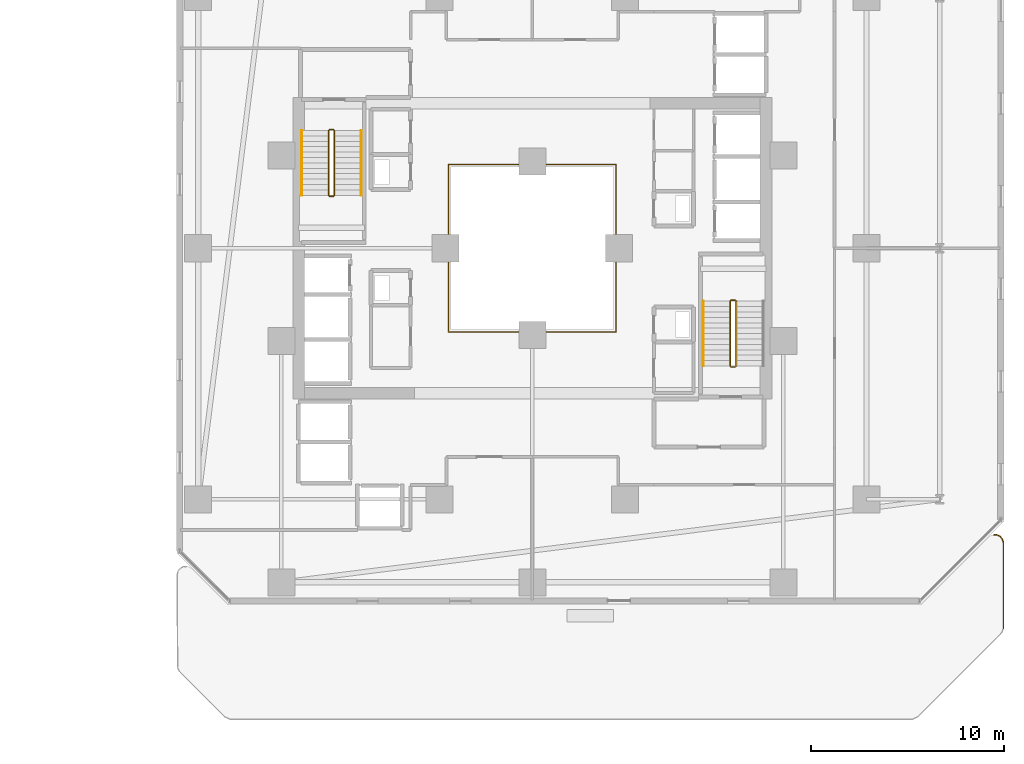
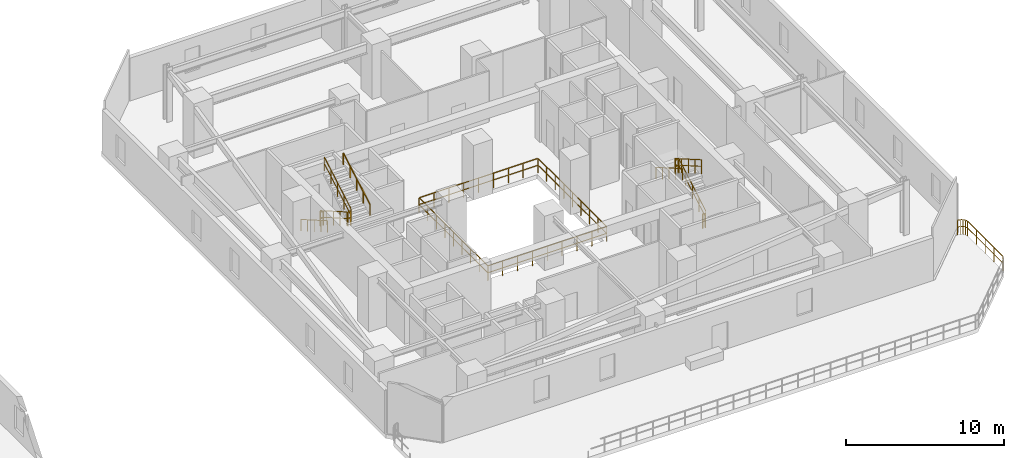
# One storey, part 32 of 33: 13 railings.
"""IFC4 building model written with IfcOpenShell, lengths in metres."""

from ifc_helpers import new_model, si_unit, direction, frame, origin, origin_2d, place, context, subcontext, project, spatial, rectangle, extrude, material, type_object, element, save


model = new_model("IFC4")

# Units and contexts
model_context = context("Model", 3, precision=1e-05, world=origin(), true_north=direction((0.0, 1.0)))
body_context = subcontext(model_context, "Body", "Model", "MODEL_VIEW")
ifc_project = project(units=[si_unit("LENGTHUNIT", "METRE"), si_unit("AREAUNIT", "SQUARE_METRE"), si_unit("VOLUMEUNIT", "CUBIC_METRE"), si_unit("PLANEANGLEUNIT", "RADIAN"), si_unit("MASSUNIT", "GRAM", prefix="KILO")], contexts=[model_context])

# Site, building, storey
site_placement = place(None, origin())
site = spatial("IfcSite", under=ifc_project, at=site_placement, CompositionType="ELEMENT")
building_placement = place(site_placement, origin())
building = spatial("IfcBuilding", under=site, at=building_placement, Name="Thornwick Lancets Civic Towers", CompositionType="ELEMENT")
storey_placement = place(building_placement, frame((0.0, 0.0, 49.5)))
storey = spatial("IfcBuildingStorey", under=building, at=storey_placement, Name="L12", CompositionType="ELEMENT", Elevation=49.5)

# Railings
ifc_material_1 = material(Name="Laminated glass and bronze steel S355", Category="steel")
railing_type_1 = type_object("IfcRailingType", Name="RAIL_ATRIUM_GUARD", PredefinedType="BALUSTRADE", material=ifc_material_1)
railing_1_placement = place(storey_placement, frame((84.159912109375, 22.659912109375, 0.0)))
element("IfcRailing", 1, at=railing_1_placement, inside=storey, type_object=railing_type_1, Name="L12 Tower B Central Atrium Guard Balustrade", PredefinedType="BALUSTRADE", context=body_context, shape_type="SweptSolid", body=[
    extrude(rectangle(XDim=0.048095703125, YDim=0.048095703125, at=origin_2d()), frame((0.0, 0.0, 1.1259765625), z_axis=(1.0, 0.0, 0.0), x_axis=(0.0, 1.0, 0.0)), (0.0, 0.0, 1.0), 8.64892578125),
    extrude(rectangle(XDim=0.0419921875, YDim=0.0419921875, at=origin_2d()), frame((0.03759765625, 0.0, 0.597900390625), z_axis=(1.0, 0.0, 0.0), x_axis=(0.0, 1.0, 0.0)), (0.0, 0.0, 1.0), 1.010009765625),
    extrude(rectangle(XDim=0.0419921875, YDim=0.0419921875, at=origin_2d()), frame((1.12255859375, 0.0, 0.597900390625), z_axis=(1.0, 0.0, 0.0), x_axis=(0.0, 1.0, 0.0)), (0.0, 0.0, 1.0), 1.010009765625),
    extrude(rectangle(XDim=0.0419921875, YDim=0.0419921875, at=origin_2d()), frame((2.20751953125, 0.0, 0.597900390625), z_axis=(1.0, 0.0, 0.0), x_axis=(0.0, 1.0, 0.0)), (0.0, 0.0, 1.0), 1.010009765625),
    extrude(rectangle(XDim=0.0419921875, YDim=0.0419921875, at=origin_2d()), frame((3.29248046875, 0.0, 0.597900390625), z_axis=(1.0, 0.0, 0.0), x_axis=(0.0, 1.0, 0.0)), (0.0, 0.0, 1.0), 1.010009765625),
    extrude(rectangle(XDim=0.0419921875, YDim=0.0419921875, at=origin_2d()), frame((4.377685546875, 0.0, 0.597900390625), z_axis=(1.0, 0.0, 0.0), x_axis=(0.0, 1.0, 0.0)), (0.0, 0.0, 1.0), 1.010009765625),
    extrude(rectangle(XDim=0.0419921875, YDim=0.0419921875, at=origin_2d()), frame((5.462646484375, 0.0, 0.597900390625), z_axis=(1.0, 0.0, 0.0), x_axis=(0.0, 1.0, 0.0)), (0.0, 0.0, 1.0), 1.010009765625),
    extrude(rectangle(XDim=0.0419921875, YDim=0.0419921875, at=origin_2d()), frame((6.547607421875, 0.0, 0.597900390625), z_axis=(1.0, 0.0, 0.0), x_axis=(0.0, 1.0, 0.0)), (0.0, 0.0, 1.0), 1.010009765625),
    extrude(rectangle(XDim=0.0419921875, YDim=0.0419921875, at=origin_2d()), frame((7.632568359375, 0.0, 0.597900390625), z_axis=(1.0, 0.0, 0.0), x_axis=(0.0, 1.0, 0.0)), (0.0, 0.0, 1.0), 1.010009765625),
    extrude(rectangle(XDim=0.048095703125, YDim=0.048095703125, at=origin_2d()), frame((8.68017578125, 0.03125, 1.1259765625), z_axis=(0.0, 1.0, 0.0), x_axis=(-1.0, 0.0, 0.0)), (0.0, 0.0, 1.0), 8.61767578125),
    extrude(rectangle(XDim=0.0419921875, YDim=0.0419921875, at=origin_2d()), frame((8.68017578125, 0.03759765625, 0.597900390625), z_axis=(0.0, 1.0, 0.0), x_axis=(-1.0, 0.0, 0.0)), (0.0, 0.0, 1.0), 1.010009765625),
    extrude(rectangle(XDim=0.0419921875, YDim=0.0419921875, at=origin_2d()), frame((8.68017578125, 1.12255859375, 0.597900390625), z_axis=(0.0, 1.0, 0.0), x_axis=(-1.0, 0.0, 0.0)), (0.0, 0.0, 1.0), 1.010009765625),
    extrude(rectangle(XDim=0.0419921875, YDim=0.0419921875, at=origin_2d()), frame((8.68017578125, 2.20751953125, 0.597900390625), z_axis=(0.0, 1.0, 0.0), x_axis=(-1.0, 0.0, 0.0)), (0.0, 0.0, 1.0), 1.010009765625),
    extrude(rectangle(XDim=0.0419921875, YDim=0.0419921875, at=origin_2d()), frame((8.68017578125, 3.29248046875, 0.597900390625), z_axis=(0.0, 1.0, 0.0), x_axis=(-1.0, 0.0, 0.0)), (0.0, 0.0, 1.0), 1.010009765625),
    extrude(rectangle(XDim=0.0419921875, YDim=0.0419921875, at=origin_2d()), frame((8.68017578125, 4.377685546875, 0.597900390625), z_axis=(0.0, 1.0, 0.0), x_axis=(-1.0, 0.0, 0.0)), (0.0, 0.0, 1.0), 1.010009765625),
    extrude(rectangle(XDim=0.0419921875, YDim=0.0419921875, at=origin_2d()), frame((8.68017578125, 5.462646484375, 0.597900390625), z_axis=(0.0, 1.0, 0.0), x_axis=(-1.0, 0.0, 0.0)), (0.0, 0.0, 1.0), 1.010009765625),
    extrude(rectangle(XDim=0.0419921875, YDim=0.0419921875, at=origin_2d()), frame((8.68017578125, 6.547607421875, 0.597900390625), z_axis=(0.0, 1.0, 0.0), x_axis=(-1.0, 0.0, 0.0)), (0.0, 0.0, 1.0), 1.010009765625),
    extrude(rectangle(XDim=0.0419921875, YDim=0.0419921875, at=origin_2d()), frame((8.68017578125, 7.632568359375, 0.597900390625), z_axis=(0.0, 1.0, 0.0), x_axis=(-1.0, 0.0, 0.0)), (0.0, 0.0, 1.0), 1.010009765625),
    extrude(rectangle(XDim=0.048095703125, YDim=0.048095703125, at=origin_2d()), frame((8.64892578125, 8.68017578125, 1.1259765625), z_axis=(-1.0, 0.0, 0.0), x_axis=(0.0, -1.0, 0.0)), (0.0, 0.0, 1.0), 8.61767578125),
    extrude(rectangle(XDim=0.0419921875, YDim=0.0419921875, at=origin_2d()), frame((8.642578125, 8.68017578125, 0.597900390625), z_axis=(-1.0, 0.0, 0.0), x_axis=(0.0, -1.0, 0.0)), (0.0, 0.0, 1.0), 1.010009765625),
    extrude(rectangle(XDim=0.0419921875, YDim=0.0419921875, at=origin_2d()), frame((7.5576171875, 8.68017578125, 0.597900390625), z_axis=(-1.0, 0.0, 0.0), x_axis=(0.0, -1.0, 0.0)), (0.0, 0.0, 1.0), 1.010009765625),
    extrude(rectangle(XDim=0.0419921875, YDim=0.0419921875, at=origin_2d()), frame((6.47265625, 8.68017578125, 0.597900390625), z_axis=(-1.0, 0.0, 0.0), x_axis=(0.0, -1.0, 0.0)), (0.0, 0.0, 1.0), 1.010009765625),
    extrude(rectangle(XDim=0.0419921875, YDim=0.0419921875, at=origin_2d()), frame((5.3876953125, 8.68017578125, 0.597900390625), z_axis=(-1.0, 0.0, 0.0), x_axis=(0.0, -1.0, 0.0)), (0.0, 0.0, 1.0), 1.010009765625),
    extrude(rectangle(XDim=0.0419921875, YDim=0.0419921875, at=origin_2d()), frame((4.302490234375, 8.68017578125, 0.597900390625), z_axis=(-1.0, 0.0, 0.0), x_axis=(0.0, -1.0, 0.0)), (0.0, 0.0, 1.0), 1.010009765625),
    extrude(rectangle(XDim=0.0419921875, YDim=0.0419921875, at=origin_2d()), frame((3.217529296875, 8.68017578125, 0.597900390625), z_axis=(-1.0, 0.0, 0.0), x_axis=(0.0, -1.0, 0.0)), (0.0, 0.0, 1.0), 1.010009765625),
    extrude(rectangle(XDim=0.0419921875, YDim=0.0419921875, at=origin_2d()), frame((2.132568359375, 8.68017578125, 0.597900390625), z_axis=(-1.0, 0.0, 0.0), x_axis=(0.0, -1.0, 0.0)), (0.0, 0.0, 1.0), 1.010009765625),
    extrude(rectangle(XDim=0.0419921875, YDim=0.0419921875, at=origin_2d()), frame((1.047607421875, 8.68017578125, 0.597900390625), z_axis=(-1.0, 0.0, 0.0), x_axis=(0.0, -1.0, 0.0)), (0.0, 0.0, 1.0), 1.010009765625),
    extrude(rectangle(XDim=0.048095703125, YDim=0.048095703125, at=origin_2d()), frame((0.0, 8.64892578125, 1.1259765625), z_axis=(0.0, -1.0, 0.0), x_axis=(1.0, 0.0, 0.0)), (0.0, 0.0, 1.0), 8.64892578125),
    extrude(rectangle(XDim=0.0419921875, YDim=0.0419921875, at=origin_2d()), frame((0.0, 8.642578125, 0.597900390625), z_axis=(0.0, -1.0, 0.0), x_axis=(1.0, 0.0, 0.0)), (0.0, 0.0, 1.0), 1.010009765625),
    extrude(rectangle(XDim=0.0419921875, YDim=0.0419921875, at=origin_2d()), frame((0.0, 7.5576171875, 0.597900390625), z_axis=(0.0, -1.0, 0.0), x_axis=(1.0, 0.0, 0.0)), (0.0, 0.0, 1.0), 1.010009765625),
    extrude(rectangle(XDim=0.0419921875, YDim=0.0419921875, at=origin_2d()), frame((0.0, 6.47265625, 0.597900390625), z_axis=(0.0, -1.0, 0.0), x_axis=(1.0, 0.0, 0.0)), (0.0, 0.0, 1.0), 1.010009765625),
    extrude(rectangle(XDim=0.0419921875, YDim=0.0419921875, at=origin_2d()), frame((0.0, 5.3876953125, 0.597900390625), z_axis=(0.0, -1.0, 0.0), x_axis=(1.0, 0.0, 0.0)), (0.0, 0.0, 1.0), 1.010009765625),
    extrude(rectangle(XDim=0.0419921875, YDim=0.0419921875, at=origin_2d()), frame((0.0, 4.302490234375, 0.597900390625), z_axis=(0.0, -1.0, 0.0), x_axis=(1.0, 0.0, 0.0)), (0.0, 0.0, 1.0), 1.010009765625),
    extrude(rectangle(XDim=0.0419921875, YDim=0.0419921875, at=origin_2d()), frame((0.0, 3.217529296875, 0.597900390625), z_axis=(0.0, -1.0, 0.0), x_axis=(1.0, 0.0, 0.0)), (0.0, 0.0, 1.0), 1.010009765625),
    extrude(rectangle(XDim=0.0419921875, YDim=0.0419921875, at=origin_2d()), frame((0.0, 2.132568359375, 0.597900390625), z_axis=(0.0, -1.0, 0.0), x_axis=(1.0, 0.0, 0.0)), (0.0, 0.0, 1.0), 1.010009765625),
    extrude(rectangle(XDim=0.0419921875, YDim=0.0419921875, at=origin_2d()), frame((0.0, 1.047607421875, 0.597900390625), z_axis=(0.0, -1.0, 0.0), x_axis=(1.0, 0.0, 0.0)), (0.0, 0.0, 1.0), 1.010009765625),
    extrude(rectangle(XDim=0.0419921875, YDim=0.0419921875, at=origin_2d()), origin(), (0.0, 0.0, 1.0), 1.095703125),
    extrude(rectangle(XDim=0.0419921875, YDim=0.0419921875, at=origin_2d()), frame((1.0849609375, 0.0, 0.0)), (0.0, 0.0, 1.0), 1.095703125),
    extrude(rectangle(XDim=0.0419921875, YDim=0.0419921875, at=origin_2d()), frame((2.169921875, 0.0, 0.0)), (0.0, 0.0, 1.0), 1.095703125),
    extrude(rectangle(XDim=0.0419921875, YDim=0.0419921875, at=origin_2d()), frame((3.255126953125, 0.0, 0.0)), (0.0, 0.0, 1.0), 1.095703125),
    extrude(rectangle(XDim=0.0419921875, YDim=0.0419921875, at=origin_2d()), frame((4.340087890625, 0.0, 0.0)), (0.0, 0.0, 1.0), 1.095703125),
    extrude(rectangle(XDim=0.0419921875, YDim=0.0419921875, at=origin_2d()), frame((5.425048828125, 0.0, 0.0)), (0.0, 0.0, 1.0), 1.095703125),
    extrude(rectangle(XDim=0.0419921875, YDim=0.0419921875, at=origin_2d()), frame((6.51025390625, 0.0, 0.0)), (0.0, 0.0, 1.0), 1.095703125),
    extrude(rectangle(XDim=0.0419921875, YDim=0.0419921875, at=origin_2d()), frame((7.59521484375, 0.0, 0.0)), (0.0, 0.0, 1.0), 1.095703125),
    extrude(rectangle(XDim=0.0419921875, YDim=0.0419921875, at=origin_2d()), frame((8.68017578125, 0.0, 0.0)), (0.0, 0.0, 1.0), 1.095703125),
    extrude(rectangle(XDim=0.0419921875, YDim=0.0419921875, at=origin_2d()), frame((8.68017578125, 1.0849609375, 0.0)), (0.0, 0.0, 1.0), 1.095703125),
    extrude(rectangle(XDim=0.0419921875, YDim=0.0419921875, at=origin_2d()), frame((8.68017578125, 2.169921875, 0.0)), (0.0, 0.0, 1.0), 1.095703125),
    extrude(rectangle(XDim=0.0419921875, YDim=0.0419921875, at=origin_2d()), frame((8.68017578125, 3.255126953125, 0.0)), (0.0, 0.0, 1.0), 1.095703125),
    extrude(rectangle(XDim=0.0419921875, YDim=0.0419921875, at=origin_2d()), frame((8.68017578125, 4.340087890625, 0.0)), (0.0, 0.0, 1.0), 1.095703125),
    extrude(rectangle(XDim=0.0419921875, YDim=0.0419921875, at=origin_2d()), frame((8.68017578125, 5.425048828125, 0.0)), (0.0, 0.0, 1.0), 1.095703125),
    extrude(rectangle(XDim=0.0419921875, YDim=0.0419921875, at=origin_2d()), frame((8.68017578125, 6.51025390625, 0.0)), (0.0, 0.0, 1.0), 1.095703125),
    extrude(rectangle(XDim=0.0419921875, YDim=0.0419921875, at=origin_2d()), frame((8.68017578125, 7.59521484375, 0.0)), (0.0, 0.0, 1.0), 1.095703125),
    extrude(rectangle(XDim=0.0419921875, YDim=0.0419921875, at=origin_2d()), frame((8.68017578125, 8.68017578125, 0.0)), (0.0, 0.0, 1.0), 1.095703125),
    extrude(rectangle(XDim=0.0419921875, YDim=0.0419921875, at=origin_2d()), frame((7.59521484375, 8.68017578125, 0.0)), (0.0, 0.0, 1.0), 1.095703125),
    extrude(rectangle(XDim=0.0419921875, YDim=0.0419921875, at=origin_2d()), frame((6.51025390625, 8.68017578125, 0.0)), (0.0, 0.0, 1.0), 1.095703125),
    extrude(rectangle(XDim=0.0419921875, YDim=0.0419921875, at=origin_2d()), frame((5.425048828125, 8.68017578125, 0.0)), (0.0, 0.0, 1.0), 1.095703125),
    extrude(rectangle(XDim=0.0419921875, YDim=0.0419921875, at=origin_2d()), frame((4.340087890625, 8.68017578125, 0.0)), (0.0, 0.0, 1.0), 1.095703125),
    extrude(rectangle(XDim=0.0419921875, YDim=0.0419921875, at=origin_2d()), frame((3.255126953125, 8.68017578125, 0.0)), (0.0, 0.0, 1.0), 1.095703125),
    extrude(rectangle(XDim=0.0419921875, YDim=0.0419921875, at=origin_2d()), frame((2.169921875, 8.68017578125, 0.0)), (0.0, 0.0, 1.0), 1.095703125),
    extrude(rectangle(XDim=0.0419921875, YDim=0.0419921875, at=origin_2d()), frame((1.0849609375, 8.68017578125, 0.0)), (0.0, 0.0, 1.0), 1.095703125),
    extrude(rectangle(XDim=0.0419921875, YDim=0.0419921875, at=origin_2d()), frame((0.0, 8.68017578125, 0.0)), (0.0, 0.0, 1.0), 1.095703125),
    extrude(rectangle(XDim=0.0419921875, YDim=0.0419921875, at=origin_2d()), frame((0.0, 7.59521484375, 0.0)), (0.0, 0.0, 1.0), 1.095703125),
    extrude(rectangle(XDim=0.0419921875, YDim=0.0419921875, at=origin_2d()), frame((0.0, 6.51025390625, 0.0)), (0.0, 0.0, 1.0), 1.095703125),
    extrude(rectangle(XDim=0.0419921875, YDim=0.0419921875, at=origin_2d()), frame((0.0, 5.425048828125, 0.0)), (0.0, 0.0, 1.0), 1.095703125),
    extrude(rectangle(XDim=0.0419921875, YDim=0.0419921875, at=origin_2d()), frame((0.0, 4.340087890625, 0.0)), (0.0, 0.0, 1.0), 1.095703125),
    extrude(rectangle(XDim=0.0419921875, YDim=0.0419921875, at=origin_2d()), frame((0.0, 3.255126953125, 0.0)), (0.0, 0.0, 1.0), 1.095703125),
    extrude(rectangle(XDim=0.0419921875, YDim=0.0419921875, at=origin_2d()), frame((0.0, 2.169921875, 0.0)), (0.0, 0.0, 1.0), 1.095703125),
    extrude(rectangle(XDim=0.0419921875, YDim=0.0419921875, at=origin_2d()), frame((0.0, 1.0849609375, 0.0)), (0.0, 0.0, 1.0), 1.095703125),
])
ifc_material_2 = material(Name="Brushed stainless steel S355", Category="steel")
railing_type_2 = type_object("IfcRailingType", Name="RAIL_HANDRAIL", PredefinedType="HANDRAIL", material=ifc_material_2)
for number, where, name in (
    (2, (97.35009765625, 24.260009765625, 2.261474609375), "L12 ST-B1 stair handrail 2"),
    (3, (76.550048828125, 33.10009765625, 0.16162109375), "L12 ST-B2 stair handrail 1"),
):
    element("IfcRailing", number, at=place(storey_placement, frame(where)), inside=storey, type_object=railing_type_2, Name=name, PredefinedType="HANDRAIL", context=body_context, shape_type="SweptSolid", body=[
        extrude(rectangle(XDim=0.048095703125, YDim=0.048095703125, at=origin_2d()), frame((0.0, 0.0, 0.8857421875), z_axis=(0.0, -0.866190824863, 0.499713372768), x_axis=(1.0, 0.0, 0.0)), (0.0, 0.0, 1.0), 3.879150390625),
        extrude(rectangle(XDim=0.0419921875, YDim=0.0419921875, at=origin_2d()), origin(), (0.0, 0.0, 1.0), 0.855712890625),
        extrude(rectangle(XDim=0.0419921875, YDim=0.0419921875, at=origin_2d()), frame((0.0, -0.840087890625, 0.484619140625)), (0.0, 0.0, 1.0), 0.855712890625),
        extrude(rectangle(XDim=0.0419921875, YDim=0.0419921875, at=origin_2d()), frame((0.0, -1.68017578125, 0.96923828125)), (0.0, 0.0, 1.0), 0.855712890625),
        extrude(rectangle(XDim=0.0419921875, YDim=0.0419921875, at=origin_2d()), frame((0.0, -2.52001953125, 1.453857421875)), (0.0, 0.0, 1.0), 0.855712890625),
        extrude(rectangle(XDim=0.0419921875, YDim=0.0419921875, at=origin_2d()), frame((0.0, -3.360107421875, 1.9384765625)), (0.0, 0.0, 1.0), 0.855712890625),
    ])
railing_2_placement = place(storey_placement, frame((79.64990234375, 29.739990234375, 2.261474609375)))
element("IfcRailing", 4, at=railing_2_placement, inside=storey, type_object=railing_type_2, Name="L12 ST-B2 stair handrail 2", PredefinedType="HANDRAIL", context=body_context, shape_type="SweptSolid", body=[
    extrude(rectangle(XDim=0.048095703125, YDim=0.048095703125, at=origin_2d()), frame((0.0, 0.0, 0.8857421875), z_axis=(0.0, 0.866190824863, 0.499713372768), x_axis=(-1.0, 0.0, 0.0)), (0.0, 0.0, 1.0), 3.879150390625),
    extrude(rectangle(XDim=0.0419921875, YDim=0.0419921875, at=origin_2d()), origin(), (0.0, 0.0, 1.0), 0.855712890625),
    extrude(rectangle(XDim=0.0419921875, YDim=0.0419921875, at=origin_2d()), frame((0.0, 0.840087890625, 0.484619140625)), (0.0, 0.0, 1.0), 0.855712890625),
    extrude(rectangle(XDim=0.0419921875, YDim=0.0419921875, at=origin_2d()), frame((0.0, 1.68017578125, 0.96923828125)), (0.0, 0.0, 1.0), 0.855712890625),
    extrude(rectangle(XDim=0.0419921875, YDim=0.0419921875, at=origin_2d()), frame((0.0, 2.52001953125, 1.453857421875)), (0.0, 0.0, 1.0), 0.855712890625),
    extrude(rectangle(XDim=0.0419921875, YDim=0.0419921875, at=origin_2d()), frame((0.0, 3.360107421875, 1.9384765625)), (0.0, 0.0, 1.0), 0.855712890625),
])
ifc_material_3 = material(Name="Steel S355JR", Category="steel")
railing_type_3 = type_object("IfcRailingType", Name="RAIL_STAIR_GUARD", PredefinedType="GUARDRAIL", material=ifc_material_3)
railing_3_placement = place(storey_placement, frame((99.050048828125, 20.89990234375, 0.16162109375)))
element("IfcRailing", 5, at=railing_3_placement, inside=storey, type_object=railing_type_3, Name="L12 ST-B1 stair guard 1", PredefinedType="GUARDRAIL", context=body_context, shape_type="SweptSolid", body=[
    extrude(rectangle(XDim=0.048095703125, YDim=0.048095703125, at=origin_2d()), frame((0.0, 0.0, 1.076171875), z_axis=(0.0, 0.866190824863, 0.499713372768), x_axis=(-1.0, 0.0, 0.0)), (0.0, 0.0, 1.0), 3.879150390625),
    extrude(rectangle(XDim=0.0419921875, YDim=0.0419921875, at=origin_2d()), frame((0.0, 0.032470703125, 0.5908203125), z_axis=(0.0, 0.866190824863, 0.499713372768), x_axis=(-1.0, 0.0, 0.0)), (0.0, 0.0, 1.0), 0.894775390625),
    extrude(rectangle(XDim=0.0419921875, YDim=0.0419921875, at=origin_2d()), frame((0.0, 0.87255859375, 1.075439453125), z_axis=(0.0, 0.866190824863, 0.499713372768), x_axis=(-1.0, 0.0, 0.0)), (0.0, 0.0, 1.0), 0.894775390625),
    extrude(rectangle(XDim=0.0419921875, YDim=0.0419921875, at=origin_2d()), frame((0.0, 1.712646484375, 1.56005859375), z_axis=(0.0, 0.866190824863, 0.499713372768), x_axis=(-1.0, 0.0, 0.0)), (0.0, 0.0, 1.0), 0.894775390625),
    extrude(rectangle(XDim=0.0419921875, YDim=0.0419921875, at=origin_2d()), frame((0.0, 2.552490234375, 2.044677734375), z_axis=(0.0, 0.866190824863, 0.499713372768), x_axis=(-1.0, 0.0, 0.0)), (0.0, 0.0, 1.0), 0.894775390625),
    extrude(rectangle(XDim=0.0419921875, YDim=0.0419921875, at=origin_2d()), origin(), (0.0, 0.0, 1.0), 1.0458984375),
    extrude(rectangle(XDim=0.0419921875, YDim=0.0419921875, at=origin_2d()), frame((0.0, 0.840087890625, 0.484619140625)), (0.0, 0.0, 1.0), 1.0458984375),
    extrude(rectangle(XDim=0.0419921875, YDim=0.0419921875, at=origin_2d()), frame((0.0, 1.68017578125, 0.96923828125)), (0.0, 0.0, 1.0), 1.0458984375),
    extrude(rectangle(XDim=0.0419921875, YDim=0.0419921875, at=origin_2d()), frame((0.0, 2.52001953125, 1.453857421875)), (0.0, 0.0, 1.0), 1.0458984375),
    extrude(rectangle(XDim=0.0419921875, YDim=0.0419921875, at=origin_2d()), frame((0.0, 3.360107421875, 1.9384765625)), (0.0, 0.0, 1.0), 1.0458984375),
])
railing_4_placement = place(storey_placement, frame((99.0, 24.31005859375, 2.10009765625)))
element("IfcRailing", 6, at=railing_4_placement, inside=storey, type_object=railing_type_3, Name="L12 ST-B1 stair guard 2", PredefinedType="GUARDRAIL", context=body_context, shape_type="SweptSolid", body=[
    extrude(rectangle(XDim=0.048095703125, YDim=0.048095703125, at=origin_2d()), frame((0.0, 0.0, 1.076171875), z_axis=(-1.0, 0.0, 0.0), x_axis=(0.0, -1.0, 0.0)), (0.0, 0.0, 1.0), 0.199951171875),
    extrude(rectangle(XDim=0.0419921875, YDim=0.0419921875, at=origin_2d()), frame((-0.03759765625, 0.0, 0.572021484375), z_axis=(-1.0, 0.0, 0.0), x_axis=(0.0, -1.0, 0.0)), (0.0, 0.0, 1.0), 0.125),
    extrude(rectangle(XDim=0.0419921875, YDim=0.0419921875, at=origin_2d()), origin(), (0.0, 0.0, 1.0), 1.0458984375),
    extrude(rectangle(XDim=0.0419921875, YDim=0.0419921875, at=origin_2d()), frame((-0.199951171875, 0.0, 0.0)), (0.0, 0.0, 1.0), 1.0458984375),
])
railing_5_placement = place(storey_placement, frame((98.75, 24.260009765625, 2.261474609375)))
element("IfcRailing", 7, at=railing_5_placement, inside=storey, type_object=railing_type_3, Name="L12 ST-B1 stair guard 3", PredefinedType="GUARDRAIL", context=body_context, shape_type="SweptSolid", body=[
    extrude(rectangle(XDim=0.048095703125, YDim=0.048095703125, at=origin_2d()), frame((0.0, 0.0, 1.076171875), z_axis=(0.0, -0.866190824863, 0.499713372768), x_axis=(1.0, 0.0, 0.0)), (0.0, 0.0, 1.0), 3.879150390625),
    extrude(rectangle(XDim=0.0419921875, YDim=0.0419921875, at=origin_2d()), frame((0.0, -0.032470703125, 0.5908203125), z_axis=(0.0, -0.866190824863, 0.499713372768), x_axis=(1.0, 0.0, 0.0)), (0.0, 0.0, 1.0), 0.894775390625),
    extrude(rectangle(XDim=0.0419921875, YDim=0.0419921875, at=origin_2d()), frame((0.0, -0.87255859375, 1.075439453125), z_axis=(0.0, -0.866190824863, 0.499713372768), x_axis=(1.0, 0.0, 0.0)), (0.0, 0.0, 1.0), 0.894775390625),
    extrude(rectangle(XDim=0.0419921875, YDim=0.0419921875, at=origin_2d()), frame((0.0, -1.712646484375, 1.56005859375), z_axis=(0.0, -0.866190824863, 0.499713372768), x_axis=(1.0, 0.0, 0.0)), (0.0, 0.0, 1.0), 0.894775390625),
    extrude(rectangle(XDim=0.0419921875, YDim=0.0419921875, at=origin_2d()), frame((0.0, -2.552490234375, 2.044677734375), z_axis=(0.0, -0.866190824863, 0.499713372768), x_axis=(1.0, 0.0, 0.0)), (0.0, 0.0, 1.0), 0.894775390625),
    extrude(rectangle(XDim=0.0419921875, YDim=0.0419921875, at=origin_2d()), origin(), (0.0, 0.0, 1.0), 1.0458984375),
    extrude(rectangle(XDim=0.0419921875, YDim=0.0419921875, at=origin_2d()), frame((0.0, -0.840087890625, 0.484619140625)), (0.0, 0.0, 1.0), 1.0458984375),
    extrude(rectangle(XDim=0.0419921875, YDim=0.0419921875, at=origin_2d()), frame((0.0, -1.68017578125, 0.96923828125)), (0.0, 0.0, 1.0), 1.0458984375),
    extrude(rectangle(XDim=0.0419921875, YDim=0.0419921875, at=origin_2d()), frame((0.0, -2.52001953125, 1.453857421875)), (0.0, 0.0, 1.0), 1.0458984375),
    extrude(rectangle(XDim=0.0419921875, YDim=0.0419921875, at=origin_2d()), frame((0.0, -3.360107421875, 1.9384765625)), (0.0, 0.0, 1.0), 1.0458984375),
])
railing_6_placement = place(storey_placement, frame((99.0, 20.85009765625, 0.0)))
element("IfcRailing", 8, at=railing_6_placement, inside=storey, type_object=railing_type_3, Name="L12 ST-B1 stair guard 4", PredefinedType="GUARDRAIL", context=body_context, shape_type="SweptSolid", body=[
    extrude(rectangle(XDim=0.048095703125, YDim=0.048095703125, at=origin_2d()), frame((0.0, 0.0, 1.076171875), z_axis=(-1.0, 0.0, 0.0), x_axis=(0.0, -1.0, 0.0)), (0.0, 0.0, 1.0), 0.199951171875),
    extrude(rectangle(XDim=0.0419921875, YDim=0.0419921875, at=origin_2d()), frame((-0.03759765625, 0.0, 0.572021484375), z_axis=(-1.0, 0.0, 0.0), x_axis=(0.0, -1.0, 0.0)), (0.0, 0.0, 1.0), 0.125),
    extrude(rectangle(XDim=0.0419921875, YDim=0.0419921875, at=origin_2d()), origin(), (0.0, 0.0, 1.0), 1.0458984375),
    extrude(rectangle(XDim=0.0419921875, YDim=0.0419921875, at=origin_2d()), frame((-0.199951171875, 0.0, 0.0)), (0.0, 0.0, 1.0), 1.0458984375),
])
railing_7_placement = place(storey_placement, frame((77.949951171875, 33.10009765625, 0.16162109375)))
element("IfcRailing", 9, at=railing_7_placement, inside=storey, type_object=railing_type_3, Name="L12 ST-B2 stair guard 1", PredefinedType="GUARDRAIL", context=body_context, shape_type="SweptSolid", body=[
    extrude(rectangle(XDim=0.048095703125, YDim=0.048095703125, at=origin_2d()), frame((0.0, 0.0, 1.076171875), z_axis=(0.0, -0.866190824863, 0.499713372768), x_axis=(1.0, 0.0, 0.0)), (0.0, 0.0, 1.0), 3.879150390625),
    extrude(rectangle(XDim=0.0419921875, YDim=0.0419921875, at=origin_2d()), frame((0.0, -0.032470703125, 0.5908203125), z_axis=(0.0, -0.866190824863, 0.499713372768), x_axis=(1.0, 0.0, 0.0)), (0.0, 0.0, 1.0), 0.894775390625),
    extrude(rectangle(XDim=0.0419921875, YDim=0.0419921875, at=origin_2d()), frame((0.0, -0.87255859375, 1.075439453125), z_axis=(0.0, -0.866190824863, 0.499713372768), x_axis=(1.0, 0.0, 0.0)), (0.0, 0.0, 1.0), 0.894775390625),
    extrude(rectangle(XDim=0.0419921875, YDim=0.0419921875, at=origin_2d()), frame((0.0, -1.712646484375, 1.56005859375), z_axis=(0.0, -0.866190824863, 0.499713372768), x_axis=(1.0, 0.0, 0.0)), (0.0, 0.0, 1.0), 0.894775390625),
    extrude(rectangle(XDim=0.0419921875, YDim=0.0419921875, at=origin_2d()), frame((0.0, -2.552490234375, 2.044677734375), z_axis=(0.0, -0.866190824863, 0.499713372768), x_axis=(1.0, 0.0, 0.0)), (0.0, 0.0, 1.0), 0.894775390625),
    extrude(rectangle(XDim=0.0419921875, YDim=0.0419921875, at=origin_2d()), origin(), (0.0, 0.0, 1.0), 1.0458984375),
    extrude(rectangle(XDim=0.0419921875, YDim=0.0419921875, at=origin_2d()), frame((0.0, -0.840087890625, 0.484619140625)), (0.0, 0.0, 1.0), 1.0458984375),
    extrude(rectangle(XDim=0.0419921875, YDim=0.0419921875, at=origin_2d()), frame((0.0, -1.68017578125, 0.96923828125)), (0.0, 0.0, 1.0), 1.0458984375),
    extrude(rectangle(XDim=0.0419921875, YDim=0.0419921875, at=origin_2d()), frame((0.0, -2.52001953125, 1.453857421875)), (0.0, 0.0, 1.0), 1.0458984375),
    extrude(rectangle(XDim=0.0419921875, YDim=0.0419921875, at=origin_2d()), frame((0.0, -3.360107421875, 1.9384765625)), (0.0, 0.0, 1.0), 1.0458984375),
])
railing_8_placement = place(storey_placement, frame((78.0, 29.68994140625, 2.10009765625)))
element("IfcRailing", 10, at=railing_8_placement, inside=storey, type_object=railing_type_3, Name="L12 ST-B2 stair guard 2", PredefinedType="GUARDRAIL", context=body_context, shape_type="SweptSolid", body=[
    extrude(rectangle(XDim=0.048095703125, YDim=0.048095703125, at=origin_2d()), frame((0.0, 0.0, 1.076171875), z_axis=(1.0, 0.0, 0.0), x_axis=(0.0, 1.0, 0.0)), (0.0, 0.0, 1.0), 0.199951171875),
    extrude(rectangle(XDim=0.0419921875, YDim=0.0419921875, at=origin_2d()), frame((0.03759765625, 0.0, 0.572021484375), z_axis=(1.0, 0.0, 0.0), x_axis=(0.0, 1.0, 0.0)), (0.0, 0.0, 1.0), 0.125),
    extrude(rectangle(XDim=0.0419921875, YDim=0.0419921875, at=origin_2d()), origin(), (0.0, 0.0, 1.0), 1.0458984375),
    extrude(rectangle(XDim=0.0419921875, YDim=0.0419921875, at=origin_2d()), frame((0.199951171875, 0.0, 0.0)), (0.0, 0.0, 1.0), 1.0458984375),
])
railing_9_placement = place(storey_placement, frame((78.25, 29.739990234375, 2.261474609375)))
element("IfcRailing", 11, at=railing_9_placement, inside=storey, type_object=railing_type_3, Name="L12 ST-B2 stair guard 3", PredefinedType="GUARDRAIL", context=body_context, shape_type="SweptSolid", body=[
    extrude(rectangle(XDim=0.048095703125, YDim=0.048095703125, at=origin_2d()), frame((0.0, 0.0, 1.076171875), z_axis=(0.0, 0.866190824863, 0.499713372768), x_axis=(-1.0, 0.0, 0.0)), (0.0, 0.0, 1.0), 3.879150390625),
    extrude(rectangle(XDim=0.0419921875, YDim=0.0419921875, at=origin_2d()), frame((0.0, 0.032470703125, 0.5908203125), z_axis=(0.0, 0.866190824863, 0.499713372768), x_axis=(-1.0, 0.0, 0.0)), (0.0, 0.0, 1.0), 0.894775390625),
    extrude(rectangle(XDim=0.0419921875, YDim=0.0419921875, at=origin_2d()), frame((0.0, 0.87255859375, 1.075439453125), z_axis=(0.0, 0.866190824863, 0.499713372768), x_axis=(-1.0, 0.0, 0.0)), (0.0, 0.0, 1.0), 0.894775390625),
    extrude(rectangle(XDim=0.0419921875, YDim=0.0419921875, at=origin_2d()), frame((0.0, 1.712646484375, 1.56005859375), z_axis=(0.0, 0.866190824863, 0.499713372768), x_axis=(-1.0, 0.0, 0.0)), (0.0, 0.0, 1.0), 0.894775390625),
    extrude(rectangle(XDim=0.0419921875, YDim=0.0419921875, at=origin_2d()), frame((0.0, 2.552490234375, 2.044677734375), z_axis=(0.0, 0.866190824863, 0.499713372768), x_axis=(-1.0, 0.0, 0.0)), (0.0, 0.0, 1.0), 0.894775390625),
    extrude(rectangle(XDim=0.0419921875, YDim=0.0419921875, at=origin_2d()), origin(), (0.0, 0.0, 1.0), 1.0458984375),
    extrude(rectangle(XDim=0.0419921875, YDim=0.0419921875, at=origin_2d()), frame((0.0, 0.840087890625, 0.484619140625)), (0.0, 0.0, 1.0), 1.0458984375),
    extrude(rectangle(XDim=0.0419921875, YDim=0.0419921875, at=origin_2d()), frame((0.0, 1.68017578125, 0.96923828125)), (0.0, 0.0, 1.0), 1.0458984375),
    extrude(rectangle(XDim=0.0419921875, YDim=0.0419921875, at=origin_2d()), frame((0.0, 2.52001953125, 1.453857421875)), (0.0, 0.0, 1.0), 1.0458984375),
    extrude(rectangle(XDim=0.0419921875, YDim=0.0419921875, at=origin_2d()), frame((0.0, 3.360107421875, 1.9384765625)), (0.0, 0.0, 1.0), 1.0458984375),
])
railing_10_placement = place(storey_placement, frame((78.0, 33.14990234375, 0.0)))
element("IfcRailing", 12, at=railing_10_placement, inside=storey, type_object=railing_type_3, Name="L12 ST-B2 stair guard 4", PredefinedType="GUARDRAIL", context=body_context, shape_type="SweptSolid", body=[
    extrude(rectangle(XDim=0.048095703125, YDim=0.048095703125, at=origin_2d()), frame((0.0, 0.0, 1.076171875), z_axis=(1.0, 0.0, 0.0), x_axis=(0.0, 1.0, 0.0)), (0.0, 0.0, 1.0), 0.199951171875),
    extrude(rectangle(XDim=0.0419921875, YDim=0.0419921875, at=origin_2d()), frame((0.03759765625, 0.0, 0.572021484375), z_axis=(1.0, 0.0, 0.0), x_axis=(0.0, 1.0, 0.0)), (0.0, 0.0, 1.0), 0.125),
    extrude(rectangle(XDim=0.0419921875, YDim=0.0419921875, at=origin_2d()), origin(), (0.0, 0.0, 1.0), 1.0458984375),
    extrude(rectangle(XDim=0.0419921875, YDim=0.0419921875, at=origin_2d()), frame((0.199951171875, 0.0, 0.0)), (0.0, 0.0, 1.0), 1.0458984375),
])
ifc_material_4 = material(Name="Terracotta-capped laminated glass balustrade S355", Category="masonry")
railing_type_4 = type_object("IfcRailingType", Name="RAIL_TERR_GUARD", PredefinedType="GUARDRAIL", material=ifc_material_4)
railing_11_placement = place(storey_placement, frame((112.40234375, 12.168701171875, 0.0)))
element("IfcRailing", 13, at=railing_11_placement, inside=storey, type_object=railing_type_4, Name="L12 Tower B Sky-Garden Guard 1 Part 2", PredefinedType="GUARDRAIL", context=body_context, shape_type="SweptSolid", body=[
    extrude(rectangle(XDim=0.048095703125, YDim=0.048095703125, at=origin_2d()), frame((0.0, 0.0, 1.1259765625), z_axis=(0.99556264392, -0.094101126617, 0.0), x_axis=(0.094101126617, 0.99556264392, 0.0)), (0.0, 0.0, 1.0), 0.147705078125),
    extrude(rectangle(XDim=0.0419921875, YDim=0.0419921875, at=origin_2d()), frame((0.037353515625, -0.00341796875, 0.597900390625), z_axis=(0.99556264392, -0.094101126617, 0.0), x_axis=(0.094101126617, 0.99556264392, 0.0)), (0.0, 0.0, 1.0), 0.10400390625),
    extrude(rectangle(XDim=0.048095703125, YDim=0.048095703125, at=origin_2d()), frame((0.205810546875, -0.031494140625, 1.1259765625), z_axis=(0.882160586654, -0.470948722639, 0.0), x_axis=(0.470948722639, 0.882160586654, 0.0)), (0.0, 0.0, 1.0), 0.11328125),
    extrude(rectangle(XDim=0.0419921875, YDim=0.0419921875, at=origin_2d()), frame((0.211181640625, -0.034423828125, 0.597900390625), z_axis=(0.882160586654, -0.470948722639, 0.0), x_axis=(0.470948722639, 0.882160586654, 0.0)), (0.0, 0.0, 1.0), 0.100830078125),
    extrude(rectangle(XDim=0.048095703125, YDim=0.048095703125, at=origin_2d()), frame((0.35302734375, -0.123779296875, 1.1259765625), z_axis=(0.634146109242, -0.773213238462, 0.0), x_axis=(0.773213238462, 0.634146109242, 0.0)), (0.0, 0.0, 1.0), 0.113037109375),
    extrude(rectangle(XDim=0.0419921875, YDim=0.0419921875, at=origin_2d()), frame((0.35693359375, -0.128662109375, 0.597900390625), z_axis=(0.634146109242, -0.773213238462, 0.0), x_axis=(0.773213238462, 0.634146109242, 0.0)), (0.0, 0.0, 1.0), 0.1005859375),
    extrude(rectangle(XDim=0.048095703125, YDim=0.048095703125, at=origin_2d()), frame((0.45361328125, -0.265380859375, 1.1259765625), z_axis=(0.289389501276, -0.957211427299, 0.0), x_axis=(0.957211427299, 0.289389501276, 0.0)), (0.0, 0.0, 1.0), 0.113037109375),
    extrude(rectangle(XDim=0.0419921875, YDim=0.0419921875, at=origin_2d()), frame((0.455322265625, -0.271240234375, 0.597900390625), z_axis=(0.289389501276, -0.957211427299, 0.0), x_axis=(0.957211427299, 0.289389501276, 0.0)), (0.0, 0.0, 1.0), 0.1005859375),
    extrude(rectangle(XDim=0.048095703125, YDim=0.048095703125, at=origin_2d()), frame((0.495361328125, -0.4345703125, 1.1259765625), z_axis=(0.0, -1.0, 0.0), x_axis=(1.0, 0.0, 0.0)), (0.0, 0.0, 1.0), 4.427734375),
    extrude(rectangle(XDim=0.0419921875, YDim=0.0419921875, at=origin_2d()), frame((0.495361328125, -0.44091796875, 0.597900390625), z_axis=(0.0, -1.0, 0.0), x_axis=(1.0, 0.0, 0.0)), (0.0, 0.0, 1.0), 1.039794921875),
    extrude(rectangle(XDim=0.0419921875, YDim=0.0419921875, at=origin_2d()), frame((0.495361328125, -1.5556640625, 0.597900390625), z_axis=(0.0, -1.0, 0.0), x_axis=(1.0, 0.0, 0.0)), (0.0, 0.0, 1.0), 1.039794921875),
    extrude(rectangle(XDim=0.0419921875, YDim=0.0419921875, at=origin_2d()), frame((0.495361328125, -2.67041015625, 0.597900390625), z_axis=(0.0, -1.0, 0.0), x_axis=(1.0, 0.0, 0.0)), (0.0, 0.0, 1.0), 1.039794921875),
    extrude(rectangle(XDim=0.0419921875, YDim=0.0419921875, at=origin_2d()), frame((0.495361328125, -3.78515625, 0.597900390625), z_axis=(0.0, -1.0, 0.0), x_axis=(1.0, 0.0, 0.0)), (0.0, 0.0, 1.0), 1.039794921875),
    extrude(rectangle(XDim=0.0419921875, YDim=0.0419921875, at=origin_2d()), origin(), (0.0, 0.0, 1.0), 1.095703125),
    extrude(rectangle(XDim=0.0419921875, YDim=0.0419921875, at=origin_2d()), frame((0.17822265625, -0.016845703125, 0.0)), (0.0, 0.0, 1.0), 1.095703125),
    extrude(rectangle(XDim=0.0419921875, YDim=0.0419921875, at=origin_2d()), frame((0.333251953125, -0.099609375, 0.0)), (0.0, 0.0, 1.0), 1.095703125),
    extrude(rectangle(XDim=0.0419921875, YDim=0.0419921875, at=origin_2d()), frame((0.444580078125, -0.2353515625, 0.0)), (0.0, 0.0, 1.0), 1.095703125),
    extrude(rectangle(XDim=0.0419921875, YDim=0.0419921875, at=origin_2d()), frame((0.495361328125, -0.4033203125, 0.0)), (0.0, 0.0, 1.0), 1.095703125),
    extrude(rectangle(XDim=0.0419921875, YDim=0.0419921875, at=origin_2d()), frame((0.495361328125, -1.51806640625, 0.0)), (0.0, 0.0, 1.0), 1.095703125),
    extrude(rectangle(XDim=0.0419921875, YDim=0.0419921875, at=origin_2d()), frame((0.495361328125, -2.6328125, 0.0)), (0.0, 0.0, 1.0), 1.095703125),
    extrude(rectangle(XDim=0.0419921875, YDim=0.0419921875, at=origin_2d()), frame((0.495361328125, -3.74755859375, 0.0)), (0.0, 0.0, 1.0), 1.095703125),
    extrude(rectangle(XDim=0.0419921875, YDim=0.0419921875, at=origin_2d()), frame((0.495361328125, -4.8623046875, 0.0)), (0.0, 0.0, 1.0), 1.095703125),
])

save(model, "model.ifc")
